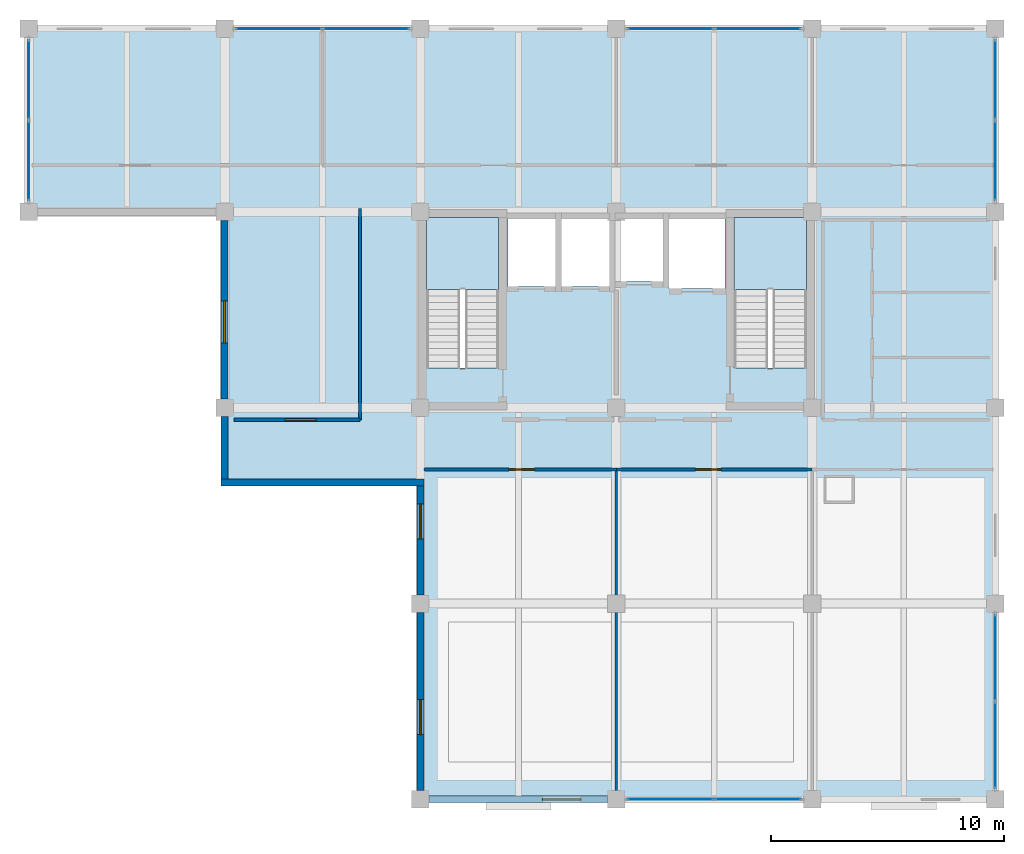
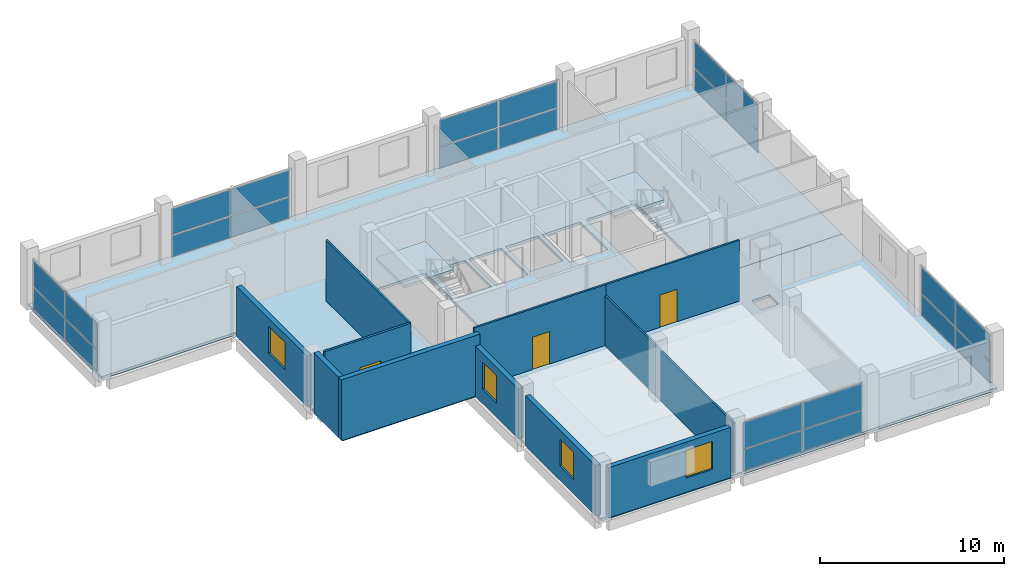
# One storey, part 6 of 9: 24 plates, 11 walls, 4 slabs, 4 windows, 3 doors, 7 openings, 8 elements without a shape of their own.
"""IFC4 building model written with IfcOpenShell, lengths in metres."""

from ifc_helpers import new_model, si_unit, direction, frame, frame_2d, origin, origin_2d, place, context, subcontext, project, spatial, polyline, rectangle, outline, extrude, material, layer, layer_set, type_object, element, fill, aggregate, save


model = new_model("IFC4")

# Units and contexts
model_context = context("Model", 3, precision=1e-05, world=origin(), true_north=direction((0.0, 1.0)))
body_context = subcontext(model_context, "Body", "Model", "MODEL_VIEW")
ifc_project = project(units=[si_unit("LENGTHUNIT", "METRE"), si_unit("AREAUNIT", "SQUARE_METRE"), si_unit("VOLUMEUNIT", "CUBIC_METRE"), si_unit("PLANEANGLEUNIT", "RADIAN"), si_unit("MASSUNIT", "GRAM", prefix="KILO")], contexts=[model_context])

# Site, building, storey
site_placement = place(None, origin())
site = spatial("IfcSite", under=ifc_project, at=site_placement, CompositionType="ELEMENT")
building_placement = place(site_placement, origin())
building = spatial("IfcBuilding", under=site, at=building_placement, Name="Brinegate Botanical Conservatory", CompositionType="ELEMENT")
storey_placement = place(building_placement, frame((0.0, 0.0, 52.800048828125)))
storey = spatial("IfcBuildingStorey", under=building, at=storey_placement, Name="L13", CompositionType="ELEMENT", Elevation=52.800048828125)

# Curtain wall, plates
ifc_material_1 = material(Name="Thermally broken anodised aluminium AW-6063-T6", Category="aluminium")
curtain_wall_type = type_object("IfcCurtainWallType", Name="CW_CW-TW1", PredefinedType="USERDEFINED", material=ifc_material_1)
curtain_wall_1_placement = place(storey_placement, origin())
curtain_wall_1 = element("IfcCurtainWall", 1, at=curtain_wall_1_placement, inside=storey, type_object=curtain_wall_type, Name="Research lab north curtain wall L13.2", ObjectType="FACTORY CURTAIN WALL", PredefinedType="USERDEFINED")
ifc_material_2 = material(Name="Double-silver Low-E laminated safety glass", Category="glass")
ifc_layer_1 = layer(ifc_material_2, 0.035888671875, Name="Double-silver Low-E laminated safety glass", Category="glass")
ifc_layer_set_1 = layer_set([ifc_layer_1], Name="Double-silver Low-E laminated safety glass")
plate_type = type_object("IfcPlateType", Name="Plate_PN-36", PredefinedType="CURTAIN_PANEL", material=ifc_layer_set_1)
plate_1_placement = place(storey_placement, frame((132.72509765625, 111.449951171875, 0.06982421875), z_axis=(0.0, 0.0, 1.0), x_axis=(1.0, 0.0, 0.0)))
plate_1 = element("IfcPlate", 2, at=plate_1_placement, type_object=plate_type, Name="CW-TW1 panel 1.1", PredefinedType="CURTAIN_PANEL", context=body_context, shape_type="SweptSolid", body=[
    extrude(rectangle(XDim=3.679931640625, YDim=0.035888671875, at=origin_2d()), origin(), (0.0, 0.0, 1.0), 1.39306640625),
])
plate_2_placement = place(storey_placement, frame((132.72509765625, 111.449951171875, 1.532958984375), z_axis=(0.0, 0.0, 1.0), x_axis=(1.0, 0.0, 0.0)))
plate_2 = element("IfcPlate", 3, at=plate_2_placement, type_object=plate_type, Name="CW-TW1 panel 1.2", PredefinedType="CURTAIN_PANEL", context=body_context, shape_type="SweptSolid", body=[
    extrude(rectangle(XDim=3.679931640625, YDim=0.035888671875, at=origin_2d()), origin(), (0.0, 0.0, 1.0), 1.72705078125),
])
plate_3_placement = place(storey_placement, frame((136.47509765625, 111.449951171875, 0.06982421875), z_axis=(0.0, 0.0, 1.0), x_axis=(1.0, 0.0, 0.0)))
plate_3 = element("IfcPlate", 4, at=plate_3_placement, type_object=plate_type, Name="CW-TW1 panel 2.1", PredefinedType="CURTAIN_PANEL", context=body_context, shape_type="SweptSolid", body=[
    extrude(rectangle(XDim=3.679931640625, YDim=0.035888671875, at=origin_2d()), origin(), (0.0, 0.0, 1.0), 1.39306640625),
])
plate_4_placement = place(storey_placement, frame((136.47509765625, 111.449951171875, 1.532958984375), z_axis=(0.0, 0.0, 1.0), x_axis=(1.0, 0.0, 0.0)))
plate_4 = element("IfcPlate", 5, at=plate_4_placement, type_object=plate_type, Name="CW-TW1 panel 2.2", PredefinedType="CURTAIN_PANEL", context=body_context, shape_type="SweptSolid", body=[
    extrude(rectangle(XDim=3.679931640625, YDim=0.035888671875, at=origin_2d()), origin(), (0.0, 0.0, 1.0), 1.72705078125),
])
aggregate(curtain_wall_1, [plate_1, plate_2, plate_3, plate_4])

curtain_wall_2_placement = place(storey_placement, origin())
curtain_wall_2 = element("IfcCurtainWall", 6, at=curtain_wall_2_placement, inside=storey, type_object=curtain_wall_type, Name="Research lab north curtain wall L13.4", ObjectType="FACTORY CURTAIN WALL", PredefinedType="USERDEFINED")
plate_5_placement = place(storey_placement, frame((149.52490234375, 111.449951171875, 0.06982421875), z_axis=(0.0, 0.0, 1.0), x_axis=(1.0, 0.0, 0.0)))
plate_5 = element("IfcPlate", 7, at=plate_5_placement, type_object=plate_type, Name="CW-TW1 panel 1.1", PredefinedType="CURTAIN_PANEL", context=body_context, shape_type="SweptSolid", body=[
    extrude(rectangle(XDim=3.679931640625, YDim=0.035888671875, at=origin_2d()), origin(), (0.0, 0.0, 1.0), 1.39306640625),
])
plate_6_placement = place(storey_placement, frame((149.52490234375, 111.449951171875, 1.532958984375), z_axis=(0.0, 0.0, 1.0), x_axis=(1.0, 0.0, 0.0)))
plate_6 = element("IfcPlate", 8, at=plate_6_placement, type_object=plate_type, Name="CW-TW1 panel 1.2", PredefinedType="CURTAIN_PANEL", context=body_context, shape_type="SweptSolid", body=[
    extrude(rectangle(XDim=3.679931640625, YDim=0.035888671875, at=origin_2d()), origin(), (0.0, 0.0, 1.0), 1.72705078125),
])
plate_7_placement = place(storey_placement, frame((153.27490234375, 111.449951171875, 0.06982421875), z_axis=(0.0, 0.0, 1.0), x_axis=(1.0, 0.0, 0.0)))
plate_7 = element("IfcPlate", 9, at=plate_7_placement, type_object=plate_type, Name="CW-TW1 panel 2.1", PredefinedType="CURTAIN_PANEL", context=body_context, shape_type="SweptSolid", body=[
    extrude(rectangle(XDim=3.679931640625, YDim=0.035888671875, at=origin_2d()), origin(), (0.0, 0.0, 1.0), 1.39306640625),
])
plate_8_placement = place(storey_placement, frame((153.27490234375, 111.449951171875, 1.532958984375), z_axis=(0.0, 0.0, 1.0), x_axis=(1.0, 0.0, 0.0)))
plate_8 = element("IfcPlate", 10, at=plate_8_placement, type_object=plate_type, Name="CW-TW1 panel 2.2", PredefinedType="CURTAIN_PANEL", context=body_context, shape_type="SweptSolid", body=[
    extrude(rectangle(XDim=3.679931640625, YDim=0.035888671875, at=origin_2d()), origin(), (0.0, 0.0, 1.0), 1.72705078125),
])
aggregate(curtain_wall_2, [plate_5, plate_6, plate_7, plate_8])

curtain_wall_3_placement = place(storey_placement, origin())
curtain_wall_3 = element("IfcCurtainWall", 11, at=curtain_wall_3_placement, inside=storey, type_object=curtain_wall_type, Name="Tower south curtain wall L13.2", ObjectType="FACTORY CURTAIN WALL", PredefinedType="USERDEFINED")
plate_9_placement = place(storey_placement, frame((153.27490234375, 78.39990234375, 0.06982421875), z_axis=(0.0, 0.0, 1.0), x_axis=(-1.0, 0.0, 0.0)))
plate_9 = element("IfcPlate", 12, at=plate_9_placement, type_object=plate_type, Name="CW-TW1 panel 1.1", PredefinedType="CURTAIN_PANEL", context=body_context, shape_type="SweptSolid", body=[
    extrude(rectangle(XDim=3.679931640625, YDim=0.035888671875, at=origin_2d()), origin(), (0.0, 0.0, 1.0), 1.39306640625),
])
plate_10_placement = place(storey_placement, frame((153.27490234375, 78.39990234375, 1.532958984375), z_axis=(0.0, 0.0, 1.0), x_axis=(-1.0, 0.0, 0.0)))
plate_10 = element("IfcPlate", 13, at=plate_10_placement, type_object=plate_type, Name="CW-TW1 panel 1.2", PredefinedType="CURTAIN_PANEL", context=body_context, shape_type="SweptSolid", body=[
    extrude(rectangle(XDim=3.679931640625, YDim=0.035888671875, at=origin_2d()), origin(), (0.0, 0.0, 1.0), 1.72705078125),
])
plate_11_placement = place(storey_placement, frame((149.52490234375, 78.39990234375, 0.06982421875), z_axis=(0.0, 0.0, 1.0), x_axis=(-1.0, 0.0, 0.0)))
plate_11 = element("IfcPlate", 14, at=plate_11_placement, type_object=plate_type, Name="CW-TW1 panel 2.1", PredefinedType="CURTAIN_PANEL", context=body_context, shape_type="SweptSolid", body=[
    extrude(rectangle(XDim=3.679931640625, YDim=0.035888671875, at=origin_2d()), origin(), (0.0, 0.0, 1.0), 1.39306640625),
])
plate_12_placement = place(storey_placement, frame((149.52490234375, 78.39990234375, 1.532958984375), z_axis=(0.0, 0.0, 1.0), x_axis=(-1.0, 0.0, 0.0)))
plate_12 = element("IfcPlate", 15, at=plate_12_placement, type_object=plate_type, Name="CW-TW1 panel 2.2", PredefinedType="CURTAIN_PANEL", context=body_context, shape_type="SweptSolid", body=[
    extrude(rectangle(XDim=3.679931640625, YDim=0.035888671875, at=origin_2d()), origin(), (0.0, 0.0, 1.0), 1.72705078125),
])
aggregate(curtain_wall_3, [plate_9, plate_10, plate_11, plate_12])

curtain_wall_4_placement = place(storey_placement, origin())
curtain_wall_4 = element("IfcCurtainWall", 16, at=curtain_wall_4_placement, inside=storey, type_object=curtain_wall_type, Name="Tower east curtain wall L13.1", ObjectType="FACTORY CURTAIN WALL", PredefinedType="USERDEFINED")
plate_13_placement = place(storey_placement, frame((163.449951171875, 84.47509765625, 0.06982421875), z_axis=(0.0, 0.0, 1.0), x_axis=(0.0, -1.0, 0.0)))
plate_13 = element("IfcPlate", 17, at=plate_13_placement, type_object=plate_type, Name="CW-TW1 panel 1.1", PredefinedType="CURTAIN_PANEL", context=body_context, shape_type="SweptSolid", body=[
    extrude(rectangle(XDim=3.679931640625, YDim=0.035888671875, at=origin_2d()), origin(), (0.0, 0.0, 1.0), 1.39306640625),
])
plate_14_placement = place(storey_placement, frame((163.449951171875, 84.47509765625, 1.532958984375), z_axis=(0.0, 0.0, 1.0), x_axis=(0.0, -1.0, 0.0)))
plate_14 = element("IfcPlate", 18, at=plate_14_placement, type_object=plate_type, Name="CW-TW1 panel 1.2", PredefinedType="CURTAIN_PANEL", context=body_context, shape_type="SweptSolid", body=[
    extrude(rectangle(XDim=3.679931640625, YDim=0.035888671875, at=origin_2d()), origin(), (0.0, 0.0, 1.0), 1.72705078125),
])
plate_15_placement = place(storey_placement, frame((163.449951171875, 80.72509765625, 0.06982421875), z_axis=(0.0, 0.0, 1.0), x_axis=(0.0, -1.0, 0.0)))
plate_15 = element("IfcPlate", 19, at=plate_15_placement, type_object=plate_type, Name="CW-TW1 panel 2.1", PredefinedType="CURTAIN_PANEL", context=body_context, shape_type="SweptSolid", body=[
    extrude(rectangle(XDim=3.679931640625, YDim=0.035888671875, at=origin_2d()), origin(), (0.0, 0.0, 1.0), 1.39306640625),
])
plate_16_placement = place(storey_placement, frame((163.449951171875, 80.72509765625, 1.532958984375), z_axis=(0.0, 0.0, 1.0), x_axis=(0.0, -1.0, 0.0)))
plate_16 = element("IfcPlate", 20, at=plate_16_placement, type_object=plate_type, Name="CW-TW1 panel 2.2", PredefinedType="CURTAIN_PANEL", context=body_context, shape_type="SweptSolid", body=[
    extrude(rectangle(XDim=3.679931640625, YDim=0.035888671875, at=origin_2d()), origin(), (0.0, 0.0, 1.0), 1.72705078125),
])
aggregate(curtain_wall_4, [plate_13, plate_14, plate_15, plate_16])

curtain_wall_5_placement = place(storey_placement, origin())
curtain_wall_5 = element("IfcCurtainWall", 21, at=curtain_wall_5_placement, inside=storey, type_object=curtain_wall_type, Name="Tower east curtain wall L13.4", ObjectType="FACTORY CURTAIN WALL", PredefinedType="USERDEFINED")
plate_17_placement = place(storey_placement, frame((163.449951171875, 109.262451171875, 0.06982421875), z_axis=(0.0, 0.0, 1.0), x_axis=(0.0, -1.0, 0.0)))
plate_17 = element("IfcPlate", 22, at=plate_17_placement, type_object=plate_type, Name="CW-TW1 panel 1.1", PredefinedType="CURTAIN_PANEL", context=body_context, shape_type="SweptSolid", body=[
    extrude(rectangle(XDim=3.405029296875, YDim=0.035888671875, at=origin_2d()), origin(), (0.0, 0.0, 1.0), 1.39306640625),
])
plate_18_placement = place(storey_placement, frame((163.449951171875, 109.262451171875, 1.532958984375), z_axis=(0.0, 0.0, 1.0), x_axis=(0.0, -1.0, 0.0)))
plate_18 = element("IfcPlate", 23, at=plate_18_placement, type_object=plate_type, Name="CW-TW1 panel 1.2", PredefinedType="CURTAIN_PANEL", context=body_context, shape_type="SweptSolid", body=[
    extrude(rectangle(XDim=3.405029296875, YDim=0.035888671875, at=origin_2d()), origin(), (0.0, 0.0, 1.0), 1.72705078125),
])
plate_19_placement = place(storey_placement, frame((163.449951171875, 105.78759765625, 0.06982421875), z_axis=(0.0, 0.0, 1.0), x_axis=(0.0, -1.0, 0.0)))
plate_19 = element("IfcPlate", 24, at=plate_19_placement, type_object=plate_type, Name="CW-TW1 panel 2.1", PredefinedType="CURTAIN_PANEL", context=body_context, shape_type="SweptSolid", body=[
    extrude(rectangle(XDim=3.405029296875, YDim=0.035888671875, at=origin_2d()), origin(), (0.0, 0.0, 1.0), 1.39306640625),
])
plate_20_placement = place(storey_placement, frame((163.449951171875, 105.78759765625, 1.532958984375), z_axis=(0.0, 0.0, 1.0), x_axis=(0.0, -1.0, 0.0)))
plate_20 = element("IfcPlate", 25, at=plate_20_placement, type_object=plate_type, Name="CW-TW1 panel 2.2", PredefinedType="CURTAIN_PANEL", context=body_context, shape_type="SweptSolid", body=[
    extrude(rectangle(XDim=3.405029296875, YDim=0.035888671875, at=origin_2d()), origin(), (0.0, 0.0, 1.0), 1.72705078125),
])
aggregate(curtain_wall_5, [plate_17, plate_18, plate_19, plate_20])

curtain_wall_6_placement = place(storey_placement, origin())
curtain_wall_6 = element("IfcCurtainWall", 26, at=curtain_wall_6_placement, inside=storey, type_object=curtain_wall_type, Name="Tower north-west curtain wall L13", ObjectType="FACTORY CURTAIN WALL", PredefinedType="USERDEFINED")
plate_21_placement = place(storey_placement, frame((122.0, 105.78759765625, 0.06982421875), z_axis=(0.0, 0.0, 1.0), x_axis=(0.0, 1.0, 0.0)))
plate_21 = element("IfcPlate", 27, at=plate_21_placement, type_object=plate_type, Name="CW-TW1 panel 1.1", PredefinedType="CURTAIN_PANEL", context=body_context, shape_type="SweptSolid", body=[
    extrude(rectangle(XDim=3.405029296875, YDim=0.035888671875, at=origin_2d()), origin(), (0.0, 0.0, 1.0), 1.39306640625),
])
plate_22_placement = place(storey_placement, frame((122.0, 105.78759765625, 1.532958984375), z_axis=(0.0, 0.0, 1.0), x_axis=(0.0, 1.0, 0.0)))
plate_22 = element("IfcPlate", 28, at=plate_22_placement, type_object=plate_type, Name="CW-TW1 panel 1.2", PredefinedType="CURTAIN_PANEL", context=body_context, shape_type="SweptSolid", body=[
    extrude(rectangle(XDim=3.405029296875, YDim=0.035888671875, at=origin_2d()), origin(), (0.0, 0.0, 1.0), 1.72705078125),
])
plate_23_placement = place(storey_placement, frame((122.0, 109.262451171875, 0.06982421875), z_axis=(0.0, 0.0, 1.0), x_axis=(0.0, 1.0, 0.0)))
plate_23 = element("IfcPlate", 29, at=plate_23_placement, type_object=plate_type, Name="CW-TW1 panel 2.1", PredefinedType="CURTAIN_PANEL", context=body_context, shape_type="SweptSolid", body=[
    extrude(rectangle(XDim=3.405029296875, YDim=0.035888671875, at=origin_2d()), origin(), (0.0, 0.0, 1.0), 1.39306640625),
])
plate_24_placement = place(storey_placement, frame((122.0, 109.262451171875, 1.532958984375), z_axis=(0.0, 0.0, 1.0), x_axis=(0.0, 1.0, 0.0)))
plate_24 = element("IfcPlate", 30, at=plate_24_placement, type_object=plate_type, Name="CW-TW1 panel 2.2", PredefinedType="CURTAIN_PANEL", context=body_context, shape_type="SweptSolid", body=[
    extrude(rectangle(XDim=3.405029296875, YDim=0.035888671875, at=origin_2d()), origin(), (0.0, 0.0, 1.0), 1.72705078125),
])
aggregate(curtain_wall_6, [plate_21, plate_22, plate_23, plate_24])

# Slabs
ifc_material_3 = material(Name="Concrete C40/50", Category="concrete")
ifc_layer_2 = layer(ifc_material_3, 0.169921875, Name="Concrete C40/50", Category="concrete")
ifc_layer_set_2 = layer_set([ifc_layer_2], Name="Concrete C40/50")
slab_type_1 = type_object("IfcSlabType", Name="Slab_SL-FL170", PredefinedType="FLOOR", material=ifc_layer_set_2)
slab_1_placement = place(storey_placement, frame((0.0, 0.0, -0.170166015625)))
element("IfcSlab", 31, at=slab_1_placement, inside=storey, type_object=slab_type_1, Name="Research Tower L13 north structural floor slab", PredefinedType="FLOOR", context=body_context, shape_type="SweptSolid", body=[
    extrude(outline(polyline([(130.39990234375, 103.60009765625), (122.0, 103.60009765625), (122.0, 111.60009765625), (163.60009765625, 111.60009765625), (163.60009765625, 95.199951171875), (130.39990234375, 95.199951171875), (130.39990234375, 103.60009765625)]), holes=[polyline([(142.14990234375, 96.89990234375), (142.14990234375, 103.35009765625), (139.050048828125, 103.35009765625), (139.050048828125, 96.89990234375), (142.14990234375, 96.89990234375)]), polyline([(155.35009765625, 96.89990234375), (155.35009765625, 103.35009765625), (152.25, 103.35009765625), (152.25, 96.89990234375), (155.35009765625, 96.89990234375)]), polyline([(142.550048828125, 100.39990234375), (144.60009765625, 100.39990234375), (144.60009765625, 103.300048828125), (142.550048828125, 103.300048828125), (142.550048828125, 100.39990234375)]), polyline([(144.85009765625, 100.39990234375), (146.89990234375, 100.39990234375), (146.89990234375, 103.300048828125), (144.85009765625, 103.300048828125), (144.85009765625, 100.39990234375)]), polyline([(147.14990234375, 100.60009765625), (149.199951171875, 100.60009765625), (149.199951171875, 103.300048828125), (147.14990234375, 103.300048828125), (147.14990234375, 100.60009765625)]), polyline([(149.449951171875, 100.300048828125), (151.85009765625, 100.300048828125), (151.85009765625, 103.300048828125), (149.449951171875, 103.300048828125), (149.449951171875, 100.300048828125)])]), origin(), (0.0, 0.0, 1.0), 0.170166015625),
])
ifc_layer_3 = layer(ifc_material_3, 0.175048828125, Name="Concrete C40/50", Category="concrete")
ifc_layer_set_3 = layer_set([ifc_layer_3], Name="Concrete C40/50")
slab_type_2 = type_object("IfcSlabType", Name="Slab_SL-FL175", PredefinedType="FLOOR", material=ifc_layer_set_3)
slab_2_placement = place(storey_placement, frame((0.0, 0.0, -0.175048828125)))
element("IfcSlab", 32, at=slab_2_placement, inside=storey, type_object=slab_type_2, Name="Research Tower L13 south structural floor slab", PredefinedType="FLOOR", context=body_context, shape_type="SweptSolid", body=[
    extrude(outline(polyline([(163.60009765625, 78.39990234375), (138.800048828125, 78.39990234375), (138.800048828125, 92.0), (130.39990234375, 92.0), (130.39990234375, 95.199951171875), (163.60009765625, 95.199951171875), (163.60009765625, 78.39990234375)]), holes=[polyline([(156.199951171875, 91.199951171875), (157.300048828125, 91.199951171875), (157.300048828125, 92.199951171875), (156.199951171875, 92.199951171875), (156.199951171875, 91.199951171875)])]), origin(), (0.0, 0.0, 1.0), 0.175048828125),
])

# Stair, slab
stair_type = type_object("IfcStairType", Name="Stair_HT-4200", PredefinedType="HALF_TURN_STAIR", material=ifc_material_3)
stair_1_placement = place(storey_placement, origin())
stair_1 = element("IfcStair", 33, at=stair_1_placement, inside=storey, type_object=stair_type, Name="L13 Tower West Smoke-Proof Stair ST1", PredefinedType="HALF_TURN_STAIR")
ifc_layer_4 = layer(ifc_material_3, 0.199951171875, Name="Concrete C40/50", Category="concrete")
ifc_layer_set_4 = layer_set([ifc_layer_4], Name="Concrete C40/50")
slab_type_3 = type_object("IfcSlabType", Name="Slab_SL-LD200", PredefinedType="LANDING", material=ifc_layer_set_4)
slab_3_placement = place(storey_placement, frame((0.0, 0.0, 1.89990234375)))
slab_3 = element("IfcSlab", 34, at=slab_3_placement, type_object=slab_type_3, Name="ST1 landing 1", PredefinedType="LANDING", context=body_context, shape_type="SweptSolid", body=[
    extrude(outline(polyline([(142.14990234375, 100.260009765625), (142.14990234375, 103.35009765625), (139.050048828125, 103.35009765625), (139.050048828125, 100.260009765625), (142.14990234375, 100.260009765625)])), origin(), (0.0, 0.0, 1.0), 0.199951171875),
])
aggregate(stair_1, [slab_3])

stair_2_placement = place(storey_placement, origin())
stair_2 = element("IfcStair", 35, at=stair_2_placement, inside=storey, type_object=stair_type, Name="L13 Tower East Smoke-Proof Stair ST2", PredefinedType="HALF_TURN_STAIR")
slab_4_placement = place(storey_placement, frame((0.0, 0.0, 1.89990234375)))
slab_4 = element("IfcSlab", 36, at=slab_4_placement, type_object=slab_type_3, Name="ST2 landing 1", PredefinedType="LANDING", context=body_context, shape_type="SweptSolid", body=[
    extrude(outline(polyline([(155.35009765625, 100.260009765625), (155.35009765625, 103.35009765625), (152.25, 103.35009765625), (152.25, 100.260009765625), (155.35009765625, 100.260009765625)])), origin(), (0.0, 0.0, 1.0), 0.199951171875),
])
aggregate(stair_2, [slab_4])

# Wall, opening, window
ifc_material_4 = material(Name="Insulated Minnan red clay brick masonry", Category="masonry")
ifc_layer_5 = layer(ifc_material_4, 0.300048828125, Name="Insulated Minnan red clay brick masonry", Category="masonry")
ifc_layer_set_5 = layer_set([ifc_layer_5], Name="Insulated Minnan red clay brick masonry")
wall_type_1 = type_object("IfcWallType", Name="Wall_EW-300B", PredefinedType="STANDARD", material=ifc_layer_set_5)
wall_1_placement = place(storey_placement, frame((146.824951171875, 78.39990234375, 0.0), z_axis=(0.0, 0.0, 1.0), x_axis=(-1.0, 0.0, 0.0)))
wall_1 = element("IfcWall", 37, at=wall_1_placement, inside=storey, type_object=wall_type_1, Name="Tower south facade wall L13.1", PredefinedType="STANDARD", context=body_context, shape_type="SweptSolid", body=[
    extrude(rectangle(XDim=7.64990234375, YDim=0.300048828125, at=frame_2d((3.824951171875, 0.0))), origin(), (0.0, 0.0, 1.0), 3.329833984375),
])
opening_1_placement = place(wall_1_placement, frame((1.14990234375, 0.0, 0.949951171875)))
opening_1 = element("IfcOpeningElement", 38, at=opening_1_placement, cuts=wall_1, Name="Opening WN-27", PredefinedType="OPENING", context=body_context, shape_type="SweptSolid", body=[
    extrude(rectangle(XDim=1.64990234375, YDim=1.85009765625, at=frame_2d((0.824951171875, 0.925048828125))), frame((0.0, 0.159912109375, 0.0), z_axis=(0.0, -1.0, 0.0), x_axis=(1.0, 0.0, 0.0)), (0.0, 0.0, 1.0), 0.320068359375),
])
ifc_material_5 = material(Name="Thermally broken aluminium-framed Low-E glass", Category="aluminium")
window_type_1 = type_object("IfcWindowType", Name="Win_WN-27", PartitioningType="DOUBLE_PANEL_VERTICAL", PredefinedType="WINDOW", material=ifc_material_5)
window_1_placement = place(opening_1_placement, origin())
window_1 = element("IfcWindow", 39, at=window_1_placement, inside=storey, type_object=window_type_1, Name="Tower south window L13.1", OverallHeight=1.85009765625, OverallWidth=1.64990234375, PartitioningType="DOUBLE_PANEL_VERTICAL", PredefinedType="WINDOW", context=body_context, shape_type="SweptSolid", body=[
    extrude(rectangle(XDim=1.64990234375, YDim=1.85009765625, at=frame_2d((0.824951171875, 0.925048828125))), frame((0.0, 0.030029296875, 0.0), z_axis=(0.0, -1.0, 0.0), x_axis=(1.0, 0.0, 0.0)), (0.0, 0.0, 1.0), 0.06005859375),
])
fill(opening_1, window_1)

# Wall
wall_2_placement = place(storey_placement, frame((130.39990234375, 92.14990234375, 0.0), z_axis=(0.0, 0.0, 1.0), x_axis=(0.0, 1.0, 0.0)))
element("IfcWall", 40, at=wall_2_placement, inside=storey, type_object=wall_type_1, Name="Tower west corridor end wall L13", PredefinedType="STANDARD", context=body_context, shape_type="SweptSolid", body=[
    extrude(rectangle(XDim=2.675048828125, YDim=0.300048828125, at=frame_2d((1.33740234375, 0.0))), origin(), (0.0, 0.0, 1.0), 4.030029296875),
])

# Wall, opening, window
wall_3_placement = place(storey_placement, frame((138.800048828125, 78.77490234375, 0.0), z_axis=(0.0, 0.0, 1.0), x_axis=(0.0, 1.0, 0.0)))
wall_3 = element("IfcWall", 41, at=wall_3_placement, inside=storey, type_object=wall_type_1, Name="Tower west wall L13.S1", PredefinedType="STANDARD", context=body_context, shape_type="SweptSolid", body=[
    extrude(rectangle(XDim=7.650146484375, YDim=0.300048828125, at=frame_2d((3.8251953125, 0.0))), origin(), (0.0, 0.0, 1.0), 3.329833984375),
])
opening_2_placement = place(wall_3_placement, frame((2.39990234375, 0.0, 0.949951171875)))
opening_2 = element("IfcOpeningElement", 42, at=opening_2_placement, cuts=wall_3, Name="Opening WN-04", PredefinedType="OPENING", context=body_context, shape_type="SweptSolid", body=[
    extrude(rectangle(XDim=1.5, YDim=1.800048828125, at=frame_2d((0.75, 0.89990234375))), frame((0.0, 0.159912109375, 0.0), z_axis=(0.0, -1.0, 0.0), x_axis=(1.0, 0.0, 0.0)), (0.0, 0.0, 1.0), 0.320068359375),
])
window_type_2 = type_object("IfcWindowType", Name="Win_WN-04", PartitioningType="DOUBLE_PANEL_VERTICAL", PredefinedType="WINDOW", material=ifc_material_5)
window_2_placement = place(opening_2_placement, origin())
window_2 = element("IfcWindow", 43, at=window_2_placement, inside=storey, type_object=window_type_2, Name="Tower west window L13.S1", OverallHeight=1.800048828125, OverallWidth=1.5, PartitioningType="DOUBLE_PANEL_VERTICAL", PredefinedType="WINDOW", context=body_context, shape_type="SweptSolid", body=[
    extrude(rectangle(XDim=1.5, YDim=1.800048828125, at=frame_2d((0.75, 0.89990234375))), frame((0.0, 0.030029296875, 0.0), z_axis=(0.0, -1.0, 0.0), x_axis=(1.0, 0.0, 0.0)), (0.0, 0.0, 1.0), 0.06005859375),
])
fill(opening_2, window_2)

wall_4_placement = place(storey_placement, frame((138.800048828125, 87.175048828125, 0.0), z_axis=(0.0, 0.0, 1.0), x_axis=(0.0, 1.0, 0.0)))
wall_4 = element("IfcWall", 44, at=wall_4_placement, inside=storey, type_object=wall_type_1, Name="Tower west wall L13.S2", PredefinedType="STANDARD", context=body_context, shape_type="SweptSolid", body=[
    extrude(rectangle(XDim=4.675048828125, YDim=0.300048828125, at=frame_2d((2.33740234375, 0.0))), origin(), (0.0, 0.0, 1.0), 3.329833984375),
])
opening_3_placement = place(wall_4_placement, frame((2.39990234375, 0.0, 0.949951171875)))
opening_3 = element("IfcOpeningElement", 45, at=opening_3_placement, cuts=wall_4, Name="Opening WN-04", PredefinedType="OPENING", context=body_context, shape_type="SweptSolid", body=[
    extrude(rectangle(XDim=1.5, YDim=1.800048828125, at=frame_2d((0.75, 0.89990234375))), frame((0.0, 0.159912109375, 0.0), z_axis=(0.0, -1.0, 0.0), x_axis=(1.0, 0.0, 0.0)), (0.0, 0.0, 1.0), 0.320068359375),
])
window_3_placement = place(opening_3_placement, origin())
window_3 = element("IfcWindow", 46, at=window_3_placement, inside=storey, type_object=window_type_2, Name="Tower west window L13.S2", OverallHeight=1.800048828125, OverallWidth=1.5, PartitioningType="DOUBLE_PANEL_VERTICAL", PredefinedType="WINDOW", context=body_context, shape_type="SweptSolid", body=[
    extrude(rectangle(XDim=1.5, YDim=1.800048828125, at=frame_2d((0.75, 0.89990234375))), frame((0.0, 0.030029296875, 0.0), z_axis=(0.0, -1.0, 0.0), x_axis=(1.0, 0.0, 0.0)), (0.0, 0.0, 1.0), 0.06005859375),
])
fill(opening_3, window_3)

wall_5_placement = place(storey_placement, frame((130.39990234375, 95.574951171875, 0.0), z_axis=(0.0, 0.0, 1.0), x_axis=(0.0, 1.0, 0.0)))
wall_5 = element("IfcWall", 47, at=wall_5_placement, inside=storey, type_object=wall_type_1, Name="Tower mid-west wall L13", PredefinedType="STANDARD", context=body_context, shape_type="SweptSolid", body=[
    extrude(rectangle(XDim=7.650146484375, YDim=0.300048828125, at=frame_2d((3.8251953125, 0.0))), origin(), (0.0, 0.0, 1.0), 3.329833984375),
])
opening_4_placement = place(wall_5_placement, frame((2.39990234375, 0.0, 1.0)))
opening_4 = element("IfcOpeningElement", 48, at=opening_4_placement, cuts=wall_5, Name="Opening WN-05", PredefinedType="OPENING", context=body_context, shape_type="SweptSolid", body=[
    extrude(rectangle(XDim=1.800048828125, YDim=1.800048828125, at=frame_2d((0.89990234375, 0.89990234375))), frame((0.0, 0.159912109375, 0.0), z_axis=(0.0, -1.0, 0.0), x_axis=(1.0, 0.0, 0.0)), (0.0, 0.0, 1.0), 0.320068359375),
])
window_type_3 = type_object("IfcWindowType", Name="Win_WN-05", PartitioningType="DOUBLE_PANEL_VERTICAL", PredefinedType="WINDOW", material=ifc_material_5)
window_4_placement = place(opening_4_placement, origin())
window_4 = element("IfcWindow", 49, at=window_4_placement, inside=storey, type_object=window_type_3, Name="Tower mid-west window L13", OverallHeight=1.800048828125, OverallWidth=1.800048828125, PartitioningType="DOUBLE_PANEL_VERTICAL", PredefinedType="WINDOW", context=body_context, shape_type="SweptSolid", body=[
    extrude(rectangle(XDim=1.800048828125, YDim=1.800048828125, at=frame_2d((0.89990234375, 0.89990234375))), frame((0.0, 0.030029296875, 0.0), z_axis=(0.0, -1.0, 0.0), x_axis=(1.0, 0.0, 0.0)), (0.0, 0.0, 1.0), 0.06005859375),
])
fill(opening_4, window_4)

# Walls
wall_6_placement = place(storey_placement, frame((138.949951171875, 92.0, 0.0), z_axis=(0.0, 0.0, 1.0), x_axis=(-1.0, 0.0, 0.0)))
element("IfcWall", 50, at=wall_6_placement, inside=storey, type_object=wall_type_1, Name="Tower loggia setback return wall L13", PredefinedType="STANDARD", context=body_context, shape_type="SweptSolid", body=[
    extrude(rectangle(XDim=8.699951171875, YDim=0.300048828125, at=frame_2d((4.35009765625, 0.0))), origin(), (0.0, 0.0, 1.0), 4.030029296875),
])
ifc_material_6 = material(Name="Gypsum-clad lightweight partition", Category="gypsum")
ifc_layer_6 = layer(ifc_material_6, 0.112060546875, Name="Gypsum-clad lightweight partition", Category="gypsum")
ifc_layer_set_6 = layer_set([ifc_layer_6], Name="Gypsum-clad lightweight partition")
wall_type_2 = type_object("IfcWallType", Name="Wall_PW-112", PredefinedType="PARTITIONING", material=ifc_layer_set_6)
wall_7_placement = place(storey_placement, frame((147.199951171875, 78.550048828125, 0.0), z_axis=(0.0, 0.0, 1.0), x_axis=(0.0, 1.0, 0.0)))
element("IfcWall", 51, at=wall_7_placement, inside=storey, type_object=wall_type_2, Name="Interior partition P-L13-SDIV-S2", PredefinedType="PARTITIONING", context=body_context, shape_type="SweptSolid", body=[
    extrude(rectangle(XDim=14.0, YDim=0.112060546875, at=frame_2d((7.0, 0.0))), origin(), (0.0, 0.0, 1.0), 3.329833984375),
])
ifc_material_7 = material(Name="Gypsum-clad steel-stud partition", Category="steel")
ifc_layer_7 = layer(ifc_material_7, 0.1201171875, Name="Gypsum-clad steel-stud partition", Category="steel")
ifc_layer_set_7 = layer_set([ifc_layer_7], Name="Gypsum-clad steel-stud partition")
wall_type_3 = type_object("IfcWallType", Name="Wall_PW-120", PredefinedType="PARTITIONING", material=ifc_layer_set_7)
wall_8_placement = place(storey_placement, frame((136.199951171875, 94.679931640625, 0.0), z_axis=(0.0, 0.0, 1.0), x_axis=(0.0, 1.0, 0.0)))
element("IfcWall", 52, at=wall_8_placement, inside=storey, type_object=wall_type_3, Name="Interior partition P-L13-XCORR-W", PredefinedType="PARTITIONING", context=body_context, shape_type="SweptSolid", body=[
    extrude(rectangle(XDim=9.070068359375, YDim=0.1201171875, at=frame_2d((4.53515625, 0.0))), origin(), (0.0, 0.0, 1.0), 4.030029296875),
])

# Wall, opening, door
wall_9_placement = place(storey_placement, frame((138.949951171875, 92.550048828125, 0.0), z_axis=(0.0, 0.0, 1.0), x_axis=(1.0, 0.0, 0.0)))
wall_9 = element("IfcWall", 53, at=wall_9_placement, inside=storey, type_object=wall_type_3, Name="Interior partition P-L13-SB-S1", PredefinedType="PARTITIONING", context=body_context, shape_type="SweptSolid", body=[
    extrude(rectangle(XDim=8.25, YDim=0.1201171875, at=frame_2d((4.125, 0.0))), origin(), (0.0, 0.0, 1.0), 4.030029296875),
])
opening_5_placement = place(wall_9_placement, frame((3.64990234375, 0.0, 0.0)))
opening_5 = element("IfcOpeningElement", 54, at=opening_5_placement, cuts=wall_9, Name="Opening DR-01", PredefinedType="OPENING", context=body_context, shape_type="SweptSolid", body=[
    extrude(rectangle(XDim=1.080078125, YDim=2.14990234375, at=frame_2d((0.5400390625, 1.074951171875))), frame((0.0, 0.070068359375, 0.0), z_axis=(0.0, -1.0, 0.0), x_axis=(1.0, 0.0, 0.0)), (0.0, 0.0, 1.0), 0.14013671875),
])
ifc_material_8 = material(Name="Hardwood timber acoustic leaf", Category="wood")
door_type_1 = type_object("IfcDoorType", Name="Door_DR-01", OperationType="NOTDEFINED", PredefinedType="DOOR", material=ifc_material_8)
door_1_placement = place(opening_5_placement, origin())
door_1 = element("IfcDoor", 55, at=door_1_placement, inside=storey, type_object=door_type_1, Name="DR-P-L13-SB-S1-1", OperationType="SINGLE_SWING_RIGHT", OverallHeight=2.14990234375, OverallWidth=1.080078125, PredefinedType="DOOR", context=body_context, shape_type="SweptSolid", body=[
    extrude(rectangle(XDim=1.080078125, YDim=2.14990234375, at=frame_2d((0.5400390625, 1.074951171875))), frame((0.0, 0.02490234375, 0.0), z_axis=(0.0, -1.0, 0.0), x_axis=(1.0, 0.0, 0.0)), (0.0, 0.0, 1.0), 0.050048828125),
])
fill(opening_5, door_1)

wall_10_placement = place(storey_placement, frame((147.199951171875, 92.550048828125, 0.0), z_axis=(0.0, 0.0, 1.0), x_axis=(1.0, 0.0, 0.0)))
wall_10 = element("IfcWall", 56, at=wall_10_placement, inside=storey, type_object=wall_type_3, Name="Interior partition P-L13-SB-S2", PredefinedType="PARTITIONING", context=body_context, shape_type="SweptSolid", body=[
    extrude(rectangle(XDim=8.400146484375, YDim=0.1201171875, at=frame_2d((4.2001953125, 0.0))), origin(), (0.0, 0.0, 1.0), 4.030029296875),
])
opening_6_placement = place(wall_10_placement, frame((3.39990234375, 0.0, 0.0)))
opening_6 = element("IfcOpeningElement", 57, at=opening_6_placement, cuts=wall_10, Name="Opening DR-01", PredefinedType="OPENING", context=body_context, shape_type="SweptSolid", body=[
    extrude(rectangle(XDim=1.080078125, YDim=2.14990234375, at=frame_2d((0.5400390625, 1.074951171875))), frame((0.0, 0.070068359375, 0.0), z_axis=(0.0, -1.0, 0.0), x_axis=(1.0, 0.0, 0.0)), (0.0, 0.0, 1.0), 0.14013671875),
])
door_2_placement = place(opening_6_placement, origin())
door_2 = element("IfcDoor", 58, at=door_2_placement, inside=storey, type_object=door_type_1, Name="DR-P-L13-SB-S2-1", OperationType="SINGLE_SWING_LEFT", OverallHeight=2.14990234375, OverallWidth=1.080078125, PredefinedType="DOOR", context=body_context, shape_type="SweptSolid", body=[
    extrude(rectangle(XDim=1.080078125, YDim=2.14990234375, at=frame_2d((0.5400390625, 1.074951171875))), frame((0.0, 0.02490234375, 0.0), z_axis=(0.0, -1.0, 0.0), x_axis=(1.0, 0.0, 0.0)), (0.0, 0.0, 1.0), 0.050048828125),
])
fill(opening_6, door_2)

ifc_material_9 = material(Name="Gypsum-clad acoustic steel-stud partition", Category="steel")
ifc_layer_8 = layer(ifc_material_9, 0.14501953125, Name="Gypsum-clad acoustic steel-stud partition", Category="steel")
ifc_layer_set_8 = layer_set([ifc_layer_8], Name="Gypsum-clad acoustic steel-stud partition")
wall_type_4 = type_object("IfcWallType", Name="Wall_PW-150", PredefinedType="PARTITIONING", material=ifc_layer_set_8)
wall_11_placement = place(storey_placement, frame((130.800048828125, 94.679931640625, 0.0), z_axis=(0.0, 0.0, 1.0), x_axis=(1.0, 0.0, 0.0)))
wall_11 = element("IfcWall", 59, at=wall_11_placement, inside=storey, type_object=wall_type_4, Name="Interior partition P-L13-MIDW-S", PredefinedType="PARTITIONING", context=body_context, shape_type="SweptSolid", body=[
    extrude(rectangle(XDim=5.39990234375, YDim=0.14501953125, at=frame_2d((2.699951171875, 0.0))), origin(), (0.0, 0.0, 1.0), 4.030029296875),
])
opening_7_placement = place(wall_11_placement, frame((2.199951171875, 0.0, 0.0)))
opening_7 = element("IfcOpeningElement", 60, at=opening_7_placement, cuts=wall_11, Name="Opening DR-08", PredefinedType="OPENING", context=body_context, shape_type="SweptSolid", body=[
    extrude(rectangle(XDim=1.320068359375, YDim=2.199951171875, at=frame_2d((0.66015625, 1.10009765625))), frame((0.0, 0.08251953125, 0.0), z_axis=(0.0, -1.0, 0.0), x_axis=(1.0, 0.0, 0.0)), (0.0, 0.0, 1.0), 0.1650390625),
])
ifc_material_10 = material(Name="Powder-coated steel wide lab door", Category="steel")
door_type_2 = type_object("IfcDoorType", Name="Door_DR-08", OperationType="NOTDEFINED", PredefinedType="DOOR", material=ifc_material_10)
door_3_placement = place(opening_7_placement, origin())
door_3 = element("IfcDoor", 61, at=door_3_placement, inside=storey, type_object=door_type_2, Name="DR-P-L13-MIDW-S-1", OperationType="SINGLE_SWING_RIGHT", OverallHeight=2.199951171875, OverallWidth=1.320068359375, PredefinedType="DOOR", context=body_context, shape_type="SweptSolid", body=[
    extrude(rectangle(XDim=1.320068359375, YDim=2.199951171875, at=frame_2d((0.66015625, 1.10009765625))), frame((0.0, 0.02490234375, 0.0), z_axis=(0.0, -1.0, 0.0), x_axis=(1.0, 0.0, 0.0)), (0.0, 0.0, 1.0), 0.050048828125),
])
fill(opening_7, door_3)

save(model, "model.ifc")
